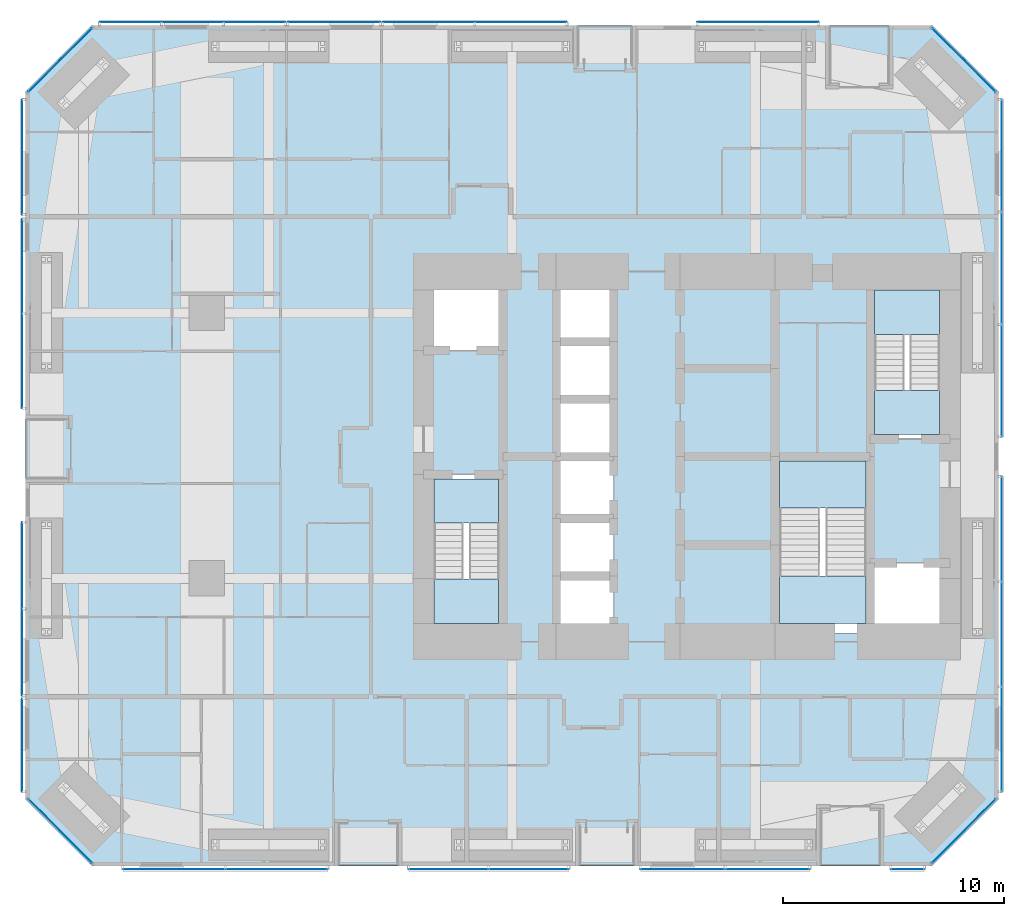
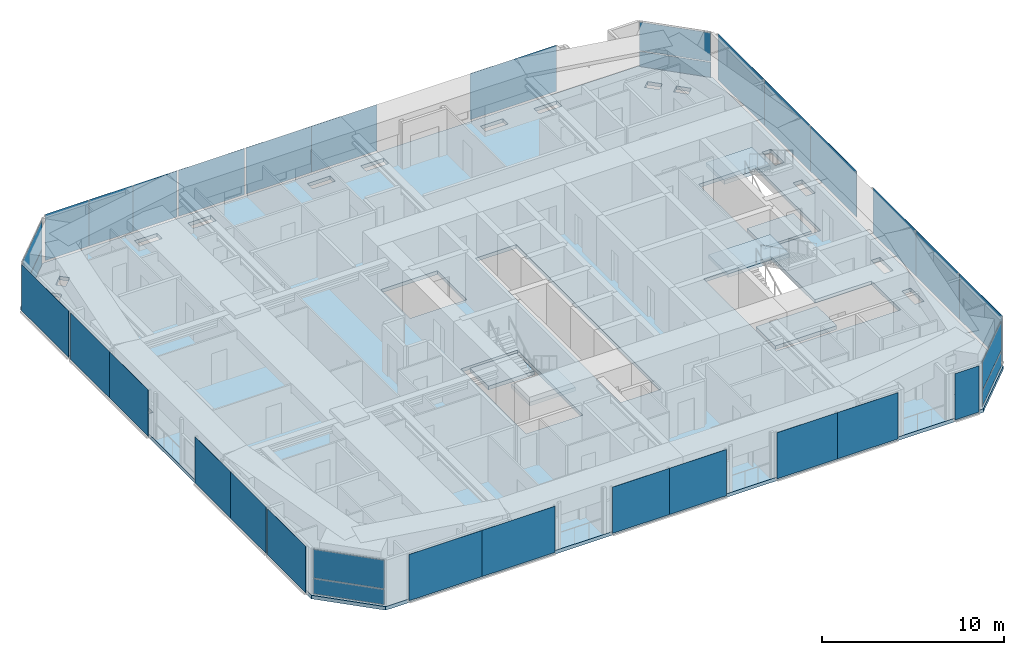
# One storey, part 15 of 23: 34 plates, 7 slabs, 21 elements without a shape of their own.
"""IFC4 building model written with IfcOpenShell, lengths in metres."""

from ifc_helpers import new_model, si_unit, direction, frame, origin, origin_2d, place, context, subcontext, project, spatial, polyline, rectangle, outline, extrude, material, layer, layer_set, type_object, element, aggregate, save


model = new_model("IFC4")

# Units and contexts
model_context = context("Model", 3, precision=1e-05, world=origin(), true_north=direction((0.0, 1.0)))
body_context = subcontext(model_context, "Body", "Model", "MODEL_VIEW")
ifc_project = project(units=[si_unit("LENGTHUNIT", "METRE"), si_unit("AREAUNIT", "SQUARE_METRE"), si_unit("VOLUMEUNIT", "CUBIC_METRE"), si_unit("PLANEANGLEUNIT", "RADIAN"), si_unit("MASSUNIT", "GRAM", prefix="KILO")], contexts=[model_context])

# Site, building, storey
site_placement = place(None, origin())
site = spatial("IfcSite", under=ifc_project, at=site_placement, CompositionType="ELEMENT")
building_placement = place(site_placement, origin())
building = spatial("IfcBuilding", under=site, at=building_placement, Name="Jalousie Tower", CompositionType="ELEMENT")
storey_placement = place(building_placement, frame((0.0, 0.0, 24.35009765625)))
storey = spatial("IfcBuildingStorey", under=building, at=storey_placement, Name="L05", CompositionType="ELEMENT", Elevation=24.35009765625)

# Curtain wall, plates
ifc_material_1 = material(Name="Aluminium curtain wall", Category="aluminium")
curtain_wall_type_1 = type_object("IfcCurtainWallType", Name="CORNER WINDOW WALL", PredefinedType="USERDEFINED", material=ifc_material_1)
curtain_wall_1_placement = place(storey_placement, origin())
curtain_wall_1 = element("IfcCurtainWall", 1, at=curtain_wall_1_placement, inside=storey, type_object=curtain_wall_type_1, Name="Corner Window Wall L05 2", ObjectType="CORNER WINDOW WALL", PredefinedType="USERDEFINED")
ifc_material_2 = material(Name="Laminated impact-rated spandrel glass", Category="glass")
ifc_layer_1 = layer(ifc_material_2, 0.028076171875)
ifc_layer_set_1 = layer_set([ifc_layer_1], Name="Laminated impact-rated spandrel glass")
plate_type_1 = type_object("IfcPlateType", Name="CORNER WINDOW WALL PANEL", PredefinedType="CURTAIN_PANEL", material=ifc_layer_set_1)
plate_1_placement = place(storey_placement, frame((44.4306640625, 1.5693359375, 0.06005859375), z_axis=(0.0, 0.0, 1.0), x_axis=(0.707106781187, 0.707106781187, 0.0)))
plate_1 = element("IfcPlate", 2, at=plate_1_placement, type_object=plate_type_1, Name="CW-C panel 1.1", PredefinedType="CURTAIN_PANEL", context=body_context, shape_type="SweptSolid", body=[
    extrude(rectangle(XDim=4.071533203125, YDim=0.028076171875, at=origin_2d()), origin(), (0.0, 0.0, 1.0), 1.010009765625),
])
plate_2_placement = place(storey_placement, frame((44.4306640625, 1.5693359375, 1.1298828125), z_axis=(0.0, 0.0, 1.0), x_axis=(0.707106781187, 0.707106781187, 0.0)))
plate_2 = element("IfcPlate", 3, at=plate_2_placement, type_object=plate_type_1, Name="CW-C panel 1.2", PredefinedType="CURTAIN_PANEL", context=body_context, shape_type="SweptSolid", body=[
    extrude(rectangle(XDim=4.071533203125, YDim=0.028076171875, at=origin_2d()), origin(), (0.0, 0.0, 1.0), 1.919921875),
])
aggregate(curtain_wall_1, [plate_1, plate_2])

curtain_wall_2_placement = place(storey_placement, origin())
curtain_wall_2 = element("IfcCurtainWall", 4, at=curtain_wall_2_placement, inside=storey, type_object=curtain_wall_type_1, Name="Corner Window Wall L05 4", ObjectType="CORNER WINDOW WALL", PredefinedType="USERDEFINED")
plate_3_placement = place(storey_placement, frame((44.4306640625, 36.4306640625, 0.06005859375), z_axis=(0.0, 0.0, 1.0), x_axis=(-0.707106781187, 0.707106781187, 0.0)))
plate_3 = element("IfcPlate", 5, at=plate_3_placement, type_object=plate_type_1, Name="CW-C panel 1.1", PredefinedType="CURTAIN_PANEL", context=body_context, shape_type="SweptSolid", body=[
    extrude(rectangle(XDim=4.071533203125, YDim=0.028076171875, at=origin_2d()), origin(), (0.0, 0.0, 1.0), 1.010009765625),
])
plate_4_placement = place(storey_placement, frame((44.4306640625, 36.4306640625, 1.1298828125), z_axis=(0.0, 0.0, 1.0), x_axis=(-0.707106781187, 0.707106781187, 0.0)))
plate_4 = element("IfcPlate", 6, at=plate_4_placement, type_object=plate_type_1, Name="CW-C panel 1.2", PredefinedType="CURTAIN_PANEL", context=body_context, shape_type="SweptSolid", body=[
    extrude(rectangle(XDim=4.071533203125, YDim=0.028076171875, at=origin_2d()), origin(), (0.0, 0.0, 1.0), 1.919921875),
])
aggregate(curtain_wall_2, [plate_3, plate_4])

curtain_wall_3_placement = place(storey_placement, origin())
curtain_wall_3 = element("IfcCurtainWall", 7, at=curtain_wall_3_placement, inside=storey, type_object=curtain_wall_type_1, Name="Corner Window Wall L05 6", ObjectType="CORNER WINDOW WALL", PredefinedType="USERDEFINED")
plate_5_placement = place(storey_placement, frame((3.5693359375, 36.4306640625, 0.06005859375), z_axis=(0.0, 0.0, 1.0), x_axis=(-0.707106781187, -0.707106781187, 0.0)))
plate_5 = element("IfcPlate", 8, at=plate_5_placement, type_object=plate_type_1, Name="CW-C panel 1.1", PredefinedType="CURTAIN_PANEL", context=body_context, shape_type="SweptSolid", body=[
    extrude(rectangle(XDim=4.071533203125, YDim=0.028076171875, at=origin_2d()), origin(), (0.0, 0.0, 1.0), 1.010009765625),
])
plate_6_placement = place(storey_placement, frame((3.5693359375, 36.4306640625, 1.1298828125), z_axis=(0.0, 0.0, 1.0), x_axis=(-0.707106781187, -0.707106781187, 0.0)))
plate_6 = element("IfcPlate", 9, at=plate_6_placement, type_object=plate_type_1, Name="CW-C panel 1.2", PredefinedType="CURTAIN_PANEL", context=body_context, shape_type="SweptSolid", body=[
    extrude(rectangle(XDim=4.071533203125, YDim=0.028076171875, at=origin_2d()), origin(), (0.0, 0.0, 1.0), 1.919921875),
])
aggregate(curtain_wall_3, [plate_5, plate_6])

curtain_wall_4_placement = place(storey_placement, origin())
curtain_wall_4 = element("IfcCurtainWall", 10, at=curtain_wall_4_placement, inside=storey, type_object=curtain_wall_type_1, Name="Corner Window Wall L05 8", ObjectType="CORNER WINDOW WALL", PredefinedType="USERDEFINED")
plate_7_placement = place(storey_placement, frame((3.5693359375, 1.5693359375, 0.06005859375), z_axis=(0.0, 0.0, 1.0), x_axis=(0.707106781187, -0.707106781187, 0.0)))
plate_7 = element("IfcPlate", 11, at=plate_7_placement, type_object=plate_type_1, Name="CW-C panel 1.1", PredefinedType="CURTAIN_PANEL", context=body_context, shape_type="SweptSolid", body=[
    extrude(rectangle(XDim=4.071533203125, YDim=0.028076171875, at=origin_2d()), origin(), (0.0, 0.0, 1.0), 1.010009765625),
])
plate_8_placement = place(storey_placement, frame((3.5693359375, 1.5693359375, 1.1298828125), z_axis=(0.0, 0.0, 1.0), x_axis=(0.707106781187, -0.707106781187, 0.0)))
plate_8 = element("IfcPlate", 12, at=plate_8_placement, type_object=plate_type_1, Name="CW-C panel 1.2", PredefinedType="CURTAIN_PANEL", context=body_context, shape_type="SweptSolid", body=[
    extrude(rectangle(XDim=4.071533203125, YDim=0.028076171875, at=origin_2d()), origin(), (0.0, 0.0, 1.0), 1.919921875),
])
aggregate(curtain_wall_4, [plate_7, plate_8])

# Slab
ifc_material_3 = material(Name="Concrete f'c 40 MPa", Category="concrete")
ifc_layer_2 = layer(ifc_material_3, 0.239990234375)
ifc_layer_set_2 = layer_set([ifc_layer_2], Name="Concrete f'c 40 MPa")
slab_type_1 = type_object("IfcSlabType", Name="FLOOR SLAB 240", PredefinedType="FLOOR", material=ifc_layer_set_2)
slab_1_placement = place(storey_placement, frame((0.0, 0.0, -0.239990234375)))
element("IfcSlab", 13, at=slab_1_placement, inside=storey, type_object=slab_type_1, Name="L05 floor slab", PredefinedType="FLOOR", context=body_context, shape_type="SweptSolid", body=[
    extrude(outline(polyline([(5.0, 0.0), (43.0, 0.0), (46.0, 3.0), (46.0, 35.0), (43.0, 38.0), (5.0, 38.0), (2.0, 35.0), (2.0, 3.0), (5.0, 0.0)]), holes=[polyline([(24.974609375, 0.663818359375), (24.974609375, 1.236083984375), (26.425048828125, 1.236083984375), (26.425048828125, 0.663818359375), (24.974609375, 0.663818359375)]), polyline([(23.025390625, 0.663818359375), (21.574951171875, 0.663818359375), (21.574951171875, 1.236083984375), (23.025390625, 1.236083984375), (23.025390625, 0.663818359375)]), polyline([(12.025390625, 1.236083984375), (12.025390625, 0.663818359375), (10.574951171875, 0.663818359375), (10.574951171875, 1.236083984375), (12.025390625, 1.236083984375)]), polyline([(13.974609375, 1.236083984375), (15.425048828125, 1.236083984375), (15.425048828125, 0.663818359375), (13.974609375, 0.663818359375), (13.974609375, 1.236083984375)]), polyline([(5.119140625, 2.54833984375), (5.717529296875, 1.949951171875), (5.31298828125, 1.545166015625), (4.71435546875, 2.1435546875), (5.119140625, 2.54833984375)]), polyline([(4.1435546875, 2.71435546875), (3.545166015625, 3.31298828125), (3.949951171875, 3.717529296875), (4.54833984375, 3.119140625), (4.1435546875, 2.71435546875)]), polyline([(3.236083984375, 12.025390625), (3.236083984375, 10.574951171875), (2.663818359375, 10.574951171875), (2.663818359375, 12.025390625), (3.236083984375, 12.025390625)]), polyline([(20.0, 10.5), (23.60009765625, 10.5), (23.60009765625, 17.699951171875), (20.0, 17.699951171875), (20.0, 10.5)]), polyline([(2.663818359375, 13.974609375), (2.663818359375, 15.425048828125), (3.236083984375, 15.425048828125), (3.236083984375, 13.974609375), (2.663818359375, 13.974609375)]), polyline([(26.0, 26.5), (28.60009765625, 26.5), (28.60009765625, 10.5), (26.0, 10.5), (26.0, 26.5)]), polyline([(2.663818359375, 24.025390625), (3.236083984375, 24.025390625), (3.236083984375, 22.574951171875), (2.663818359375, 22.574951171875), (2.663818359375, 24.025390625)]), polyline([(20.0, 23.300048828125), (23.60009765625, 23.300048828125), (23.60009765625, 26.5), (20.0, 26.5), (20.0, 23.300048828125)]), polyline([(2.663818359375, 25.974609375), (2.663818359375, 27.425048828125), (3.236083984375, 27.425048828125), (3.236083984375, 25.974609375), (2.663818359375, 25.974609375)]), polyline([(4.54833984375, 34.880859375), (3.949951171875, 34.282470703125), (3.545166015625, 34.68701171875), (4.1435546875, 35.28564453125), (4.54833984375, 34.880859375)]), polyline([(4.71435546875, 35.8564453125), (5.31298828125, 36.454833984375), (5.717529296875, 36.050048828125), (5.119140625, 35.45166015625), (4.71435546875, 35.8564453125)]), polyline([(13.974609375, 37.336181640625), (15.425048828125, 37.336181640625), (15.425048828125, 36.763916015625), (13.974609375, 36.763916015625), (13.974609375, 37.336181640625)]), polyline([(12.025390625, 36.763916015625), (10.574951171875, 36.763916015625), (10.574951171875, 37.336181640625), (12.025390625, 37.336181640625), (12.025390625, 36.763916015625)]), polyline([(23.025390625, 36.763916015625), (21.574951171875, 36.763916015625), (21.574951171875, 37.336181640625), (23.025390625, 37.336181640625), (23.025390625, 36.763916015625)]), polyline([(24.974609375, 37.336181640625), (26.425048828125, 37.336181640625), (26.425048828125, 36.763916015625), (24.974609375, 36.763916015625), (24.974609375, 37.336181640625)]), polyline([(34.025390625, 0.663818359375), (32.574951171875, 0.663818359375), (32.574951171875, 1.236083984375), (34.025390625, 1.236083984375), (34.025390625, 0.663818359375)]), polyline([(35.974609375, 1.236083984375), (37.425048828125, 1.236083984375), (37.425048828125, 0.663818359375), (35.974609375, 0.663818359375), (35.974609375, 1.236083984375)]), polyline([(43.28564453125, 2.1435546875), (42.68701171875, 1.545166015625), (42.282470703125, 1.949951171875), (42.880859375, 2.54833984375), (43.28564453125, 2.1435546875)]), polyline([(43.45166015625, 3.119140625), (44.050048828125, 3.717529296875), (44.454833984375, 3.31298828125), (43.8564453125, 2.71435546875), (43.45166015625, 3.119140625)]), polyline([(45.336181640625, 12.025390625), (45.336181640625, 10.574951171875), (44.763916015625, 10.574951171875), (44.763916015625, 12.025390625), (45.336181640625, 12.025390625)]), polyline([(35.89990234375, 18.5), (40.199951171875, 18.5), (40.199951171875, 13.699951171875), (43.800048828125, 13.699951171875), (43.800048828125, 10.5), (35.89990234375, 10.5), (35.89990234375, 18.5)]), polyline([(44.763916015625, 13.974609375), (44.763916015625, 15.425048828125), (45.336181640625, 15.425048828125), (45.336181640625, 13.974609375), (44.763916015625, 13.974609375)]), polyline([(40.199951171875, 19.300048828125), (43.800048828125, 19.300048828125), (43.800048828125, 26.5), (40.199951171875, 26.5), (40.199951171875, 19.300048828125)]), polyline([(44.763916015625, 24.025390625), (45.336181640625, 24.025390625), (45.336181640625, 22.574951171875), (44.763916015625, 22.574951171875), (44.763916015625, 24.025390625)]), polyline([(44.763916015625, 25.974609375), (44.763916015625, 27.425048828125), (45.336181640625, 27.425048828125), (45.336181640625, 25.974609375), (44.763916015625, 25.974609375)]), polyline([(43.8564453125, 35.28564453125), (44.454833984375, 34.68701171875), (44.050048828125, 34.282470703125), (43.45166015625, 34.880859375), (43.8564453125, 35.28564453125)]), polyline([(42.880859375, 35.45166015625), (42.282470703125, 36.050048828125), (42.68701171875, 36.454833984375), (43.28564453125, 35.8564453125), (42.880859375, 35.45166015625)]), polyline([(35.974609375, 37.336181640625), (37.425048828125, 37.336181640625), (37.425048828125, 36.763916015625), (35.974609375, 36.763916015625), (35.974609375, 37.336181640625)]), polyline([(34.025390625, 36.763916015625), (32.574951171875, 36.763916015625), (32.574951171875, 37.336181640625), (34.025390625, 37.336181640625), (34.025390625, 36.763916015625)])]), origin(), (0.0, 0.0, 1.0), 0.239990234375),
])

# Curtain wall, plates
ifc_material_4 = material(Name="Perforated aluminium sheet", Category="aluminium")
curtain_wall_type_2 = type_object("IfcCurtainWallType", Name="SOLAR SCREEN SS-1", PredefinedType="USERDEFINED", material=ifc_material_4)
curtain_wall_5_placement = place(storey_placement, origin())
curtain_wall_5 = element("IfcCurtainWall", 14, at=curtain_wall_5_placement, inside=storey, type_object=curtain_wall_type_2, Name="Solar screen L05", ObjectType="SOLAR SCREEN SS-1", PredefinedType="USERDEFINED")
ifc_material_5 = material(Name="Perforated aluminium sheet", Category="aluminium")
ifc_layer_3 = layer(ifc_material_5, 0.006103515625)
ifc_layer_set_3 = layer_set([ifc_layer_3], Name="Perforated aluminium sheet")
plate_type_2 = type_object("IfcPlateType", Name="SOLAR SCREEN SS-1 PANEL", PredefinedType="CURTAIN_PANEL", material=ifc_layer_set_3)
plate_9_placement = place(storey_placement, frame((8.71875, -0.150390625, 0.0), z_axis=(0.0, 0.0, 1.0), x_axis=(1.0, 0.0, 0.0)))
plate_9 = element("IfcPlate", 15, at=plate_9_placement, type_object=plate_type_2, Name="SS1 perforated panel 1", PredefinedType="CURTAIN_PANEL", context=body_context, shape_type="SweptSolid", body=[
    extrude(rectangle(XDim=4.637451171875, YDim=0.006103515625, at=origin_2d()), origin(), (0.0, 0.0, 1.0), 3.110107421875),
])
plate_10_placement = place(storey_placement, frame((13.356201171875, -0.150390625, 0.0), z_axis=(0.0, 0.0, 1.0), x_axis=(1.0, 0.0, 0.0)))
plate_10 = element("IfcPlate", 16, at=plate_10_placement, type_object=plate_type_2, Name="SS1 perforated panel 2", PredefinedType="CURTAIN_PANEL", context=body_context, shape_type="SweptSolid", body=[
    extrude(rectangle(XDim=4.637451171875, YDim=0.006103515625, at=origin_2d()), origin(), (0.0, 0.0, 1.0), 3.110107421875),
])
aggregate(curtain_wall_5, [plate_9, plate_10])

curtain_wall_6_placement = place(storey_placement, origin())
curtain_wall_6 = element("IfcCurtainWall", 17, at=curtain_wall_6_placement, inside=storey, type_object=curtain_wall_type_2, Name="Solar screen L05", ObjectType="SOLAR SCREEN SS-1", PredefinedType="USERDEFINED")
plate_11_placement = place(storey_placement, frame((21.137451171875, -0.150390625, 0.0), z_axis=(0.0, 0.0, 1.0), x_axis=(1.0, 0.0, 0.0)))
plate_11 = element("IfcPlate", 18, at=plate_11_placement, type_object=plate_type_2, Name="SS1 perforated panel 1", PredefinedType="CURTAIN_PANEL", context=body_context, shape_type="SweptSolid", body=[
    extrude(rectangle(XDim=3.625, YDim=0.006103515625, at=origin_2d()), origin(), (0.0, 0.0, 1.0), 3.110107421875),
])
plate_12_placement = place(storey_placement, frame((24.762451171875, -0.150390625, 0.0), z_axis=(0.0, 0.0, 1.0), x_axis=(1.0, 0.0, 0.0)))
plate_12 = element("IfcPlate", 19, at=plate_12_placement, type_object=plate_type_2, Name="SS1 perforated panel 2", PredefinedType="CURTAIN_PANEL", context=body_context, shape_type="SweptSolid", body=[
    extrude(rectangle(XDim=3.625, YDim=0.006103515625, at=origin_2d()), origin(), (0.0, 0.0, 1.0), 3.110107421875),
])
aggregate(curtain_wall_6, [plate_11, plate_12])

curtain_wall_7_placement = place(storey_placement, origin())
curtain_wall_7 = element("IfcCurtainWall", 20, at=curtain_wall_7_placement, inside=storey, type_object=curtain_wall_type_2, Name="Solar screen L05", ObjectType="SOLAR SCREEN SS-1", PredefinedType="USERDEFINED")
plate_13_placement = place(storey_placement, frame((31.71875, -0.150390625, 0.0), z_axis=(0.0, 0.0, 1.0), x_axis=(1.0, 0.0, 0.0)))
plate_13 = element("IfcPlate", 21, at=plate_13_placement, type_object=plate_type_2, Name="SS1 perforated panel 1", PredefinedType="CURTAIN_PANEL", context=body_context, shape_type="SweptSolid", body=[
    extrude(rectangle(XDim=3.83740234375, YDim=0.006103515625, at=origin_2d()), origin(), (0.0, 0.0, 1.0), 3.110107421875),
])
plate_14_placement = place(storey_placement, frame((35.55615234375, -0.150390625, 0.0), z_axis=(0.0, 0.0, 1.0), x_axis=(1.0, 0.0, 0.0)))
plate_14 = element("IfcPlate", 22, at=plate_14_placement, type_object=plate_type_2, Name="SS1 perforated panel 2", PredefinedType="CURTAIN_PANEL", context=body_context, shape_type="SweptSolid", body=[
    extrude(rectangle(XDim=3.83740234375, YDim=0.006103515625, at=origin_2d()), origin(), (0.0, 0.0, 1.0), 3.110107421875),
])
aggregate(curtain_wall_7, [plate_13, plate_14])

# Curtain wall, plate
curtain_wall_8_placement = place(storey_placement, origin())
curtain_wall_8 = element("IfcCurtainWall", 23, at=curtain_wall_8_placement, inside=storey, type_object=curtain_wall_type_2, Name="Solar screen L05", ObjectType="SOLAR SCREEN SS-1", PredefinedType="USERDEFINED")
plate_15_placement = place(storey_placement, frame((41.88671875, -0.150390625, 0.0), z_axis=(0.0, 0.0, 1.0), x_axis=(1.0, 0.0, 0.0)))
plate_15 = element("IfcPlate", 24, at=plate_15_placement, type_object=plate_type_2, Name="SS1 perforated panel 1", PredefinedType="CURTAIN_PANEL", context=body_context, shape_type="SweptSolid", body=[
    extrude(rectangle(XDim=1.523681640625, YDim=0.006103515625, at=origin_2d()), origin(), (0.0, 0.0, 1.0), 3.110107421875),
])
aggregate(curtain_wall_8, [plate_15])

# Curtain wall, plates
curtain_wall_9_placement = place(storey_placement, origin())
curtain_wall_9 = element("IfcCurtainWall", 25, at=curtain_wall_9_placement, inside=storey, type_object=curtain_wall_type_2, Name="Solar screen L05", ObjectType="SOLAR SCREEN SS-1", PredefinedType="USERDEFINED")
plate_16_placement = place(storey_placement, frame((46.150390625, 5.72607421875, 0.0), z_axis=(0.0, 0.0, 1.0), x_axis=(0.0, 1.0, 0.0)))
plate_16 = element("IfcPlate", 26, at=plate_16_placement, type_object=plate_type_2, Name="SS1 perforated panel 1", PredefinedType="CURTAIN_PANEL", context=body_context, shape_type="SweptSolid", body=[
    extrude(rectangle(XDim=4.74951171875, YDim=0.006103515625, at=origin_2d()), origin(), (0.0, 0.0, 1.0), 3.110107421875),
])
plate_17_placement = place(storey_placement, frame((46.150390625, 10.4755859375, 0.0), z_axis=(0.0, 0.0, 1.0), x_axis=(0.0, 1.0, 0.0)))
plate_17 = element("IfcPlate", 27, at=plate_17_placement, type_object=plate_type_2, Name="SS1 perforated panel 2", PredefinedType="CURTAIN_PANEL", context=body_context, shape_type="SweptSolid", body=[
    extrude(rectangle(XDim=4.74951171875, YDim=0.006103515625, at=origin_2d()), origin(), (0.0, 0.0, 1.0), 3.110107421875),
])
plate_18_placement = place(storey_placement, frame((46.150390625, 15.22509765625, 0.0), z_axis=(0.0, 0.0, 1.0), x_axis=(0.0, 1.0, 0.0)))
plate_18 = element("IfcPlate", 28, at=plate_18_placement, type_object=plate_type_2, Name="SS1 perforated panel 3", PredefinedType="CURTAIN_PANEL", context=body_context, shape_type="SweptSolid", body=[
    extrude(rectangle(XDim=4.74951171875, YDim=0.006103515625, at=origin_2d()), origin(), (0.0, 0.0, 1.0), 3.110107421875),
])
aggregate(curtain_wall_9, [plate_16, plate_17, plate_18])

curtain_wall_10_placement = place(storey_placement, origin())
curtain_wall_10 = element("IfcCurtainWall", 29, at=curtain_wall_10_placement, inside=storey, type_object=curtain_wall_type_2, Name="Solar screen L05", ObjectType="SOLAR SCREEN SS-1", PredefinedType="USERDEFINED")
plate_19_placement = place(storey_placement, frame((46.150390625, 21.94140625, 0.0), z_axis=(0.0, 0.0, 1.0), x_axis=(0.0, 1.0, 0.0)))
plate_19 = element("IfcPlate", 30, at=plate_19_placement, type_object=plate_type_2, Name="SS1 perforated panel 1", PredefinedType="CURTAIN_PANEL", context=body_context, shape_type="SweptSolid", body=[
    extrude(rectangle(XDim=5.0830078125, YDim=0.006103515625, at=origin_2d()), origin(), (0.0, 0.0, 1.0), 3.110107421875),
])
plate_20_placement = place(storey_placement, frame((46.150390625, 27.0244140625, 0.0), z_axis=(0.0, 0.0, 1.0), x_axis=(0.0, 1.0, 0.0)))
plate_20 = element("IfcPlate", 31, at=plate_20_placement, type_object=plate_type_2, Name="SS1 perforated panel 2", PredefinedType="CURTAIN_PANEL", context=body_context, shape_type="SweptSolid", body=[
    extrude(rectangle(XDim=5.0830078125, YDim=0.006103515625, at=origin_2d()), origin(), (0.0, 0.0, 1.0), 3.110107421875),
])
plate_21_placement = place(storey_placement, frame((46.150390625, 32.107177734375, 0.0), z_axis=(0.0, 0.0, 1.0), x_axis=(0.0, 1.0, 0.0)))
plate_21 = element("IfcPlate", 32, at=plate_21_placement, type_object=plate_type_2, Name="SS1 perforated panel 3", PredefinedType="CURTAIN_PANEL", context=body_context, shape_type="SweptSolid", body=[
    extrude(rectangle(XDim=5.0830078125, YDim=0.006103515625, at=origin_2d()), origin(), (0.0, 0.0, 1.0), 3.110107421875),
])
aggregate(curtain_wall_10, [plate_19, plate_20, plate_21])

# Curtain wall, plate
curtain_wall_11_placement = place(storey_placement, origin())
curtain_wall_11 = element("IfcCurtainWall", 33, at=curtain_wall_11_placement, inside=storey, type_object=curtain_wall_type_2, Name="Solar screen L05", ObjectType="SOLAR SCREEN SS-1", PredefinedType="USERDEFINED")
plate_22_placement = place(storey_placement, frame((35.127685546875, 38.150390625, 0.0), z_axis=(0.0, 0.0, 1.0), x_axis=(-1.0, 0.0, 0.0)))
plate_22 = element("IfcPlate", 34, at=plate_22_placement, type_object=plate_type_2, Name="SS1 perforated panel 1", PredefinedType="CURTAIN_PANEL", context=body_context, shape_type="SweptSolid", body=[
    extrude(rectangle(XDim=5.49169921875, YDim=0.006103515625, at=origin_2d()), origin(), (0.0, 0.0, 1.0), 3.110107421875),
])
aggregate(curtain_wall_11, [plate_22])

# Curtain wall, plates
curtain_wall_12_placement = place(storey_placement, origin())
curtain_wall_12 = element("IfcCurtainWall", 35, at=curtain_wall_12_placement, inside=storey, type_object=curtain_wall_type_2, Name="Solar screen L05", ObjectType="SOLAR SCREEN SS-1", PredefinedType="USERDEFINED")
plate_23_placement = place(storey_placement, frame((24.39990234375, 38.150390625, 0.0), z_axis=(0.0, 0.0, 1.0), x_axis=(-1.0, 0.0, 0.0)))
plate_23 = element("IfcPlate", 36, at=plate_23_placement, type_object=plate_type_2, Name="SS1 perforated panel 1", PredefinedType="CURTAIN_PANEL", context=body_context, shape_type="SweptSolid", body=[
    extrude(rectangle(XDim=4.16650390625, YDim=0.006103515625, at=origin_2d()), origin(), (0.0, 0.0, 1.0), 3.110107421875),
])
plate_24_placement = place(storey_placement, frame((20.2333984375, 38.150390625, 0.0), z_axis=(0.0, 0.0, 1.0), x_axis=(-1.0, 0.0, 0.0)))
plate_24 = element("IfcPlate", 37, at=plate_24_placement, type_object=plate_type_2, Name="SS1 perforated panel 2", PredefinedType="CURTAIN_PANEL", context=body_context, shape_type="SweptSolid", body=[
    extrude(rectangle(XDim=4.16650390625, YDim=0.006103515625, at=origin_2d()), origin(), (0.0, 0.0, 1.0), 3.110107421875),
])
aggregate(curtain_wall_12, [plate_23, plate_24])

# Curtain wall, plate
curtain_wall_13_placement = place(storey_placement, origin())
curtain_wall_13 = element("IfcCurtainWall", 38, at=curtain_wall_13_placement, inside=storey, type_object=curtain_wall_type_2, Name="Solar screen L05", ObjectType="SOLAR SCREEN SS-1", PredefinedType="USERDEFINED")
plate_25_placement = place(storey_placement, frame((15.949951171875, 38.150390625, 0.0), z_axis=(0.0, 0.0, 1.0), x_axis=(-1.0, 0.0, 0.0)))
plate_25 = element("IfcPlate", 39, at=plate_25_placement, type_object=plate_type_2, Name="SS1 perforated panel 1", PredefinedType="CURTAIN_PANEL", context=body_context, shape_type="SweptSolid", body=[
    extrude(rectangle(XDim=4.199951171875, YDim=0.006103515625, at=origin_2d()), origin(), (0.0, 0.0, 1.0), 3.110107421875),
])
aggregate(curtain_wall_13, [plate_25])

# Curtain wall, plates
curtain_wall_14_placement = place(storey_placement, origin())
curtain_wall_14 = element("IfcCurtainWall", 40, at=curtain_wall_14_placement, inside=storey, type_object=curtain_wall_type_2, Name="Solar screen L05", ObjectType="SOLAR SCREEN SS-1", PredefinedType="USERDEFINED")
plate_26_placement = place(storey_placement, frame((12.35009765625, 38.150390625, 0.0), z_axis=(0.0, 0.0, 1.0), x_axis=(-1.0, 0.0, 0.0)))
plate_26 = element("IfcPlate", 41, at=plate_26_placement, type_object=plate_type_2, Name="SS1 perforated panel 1", PredefinedType="CURTAIN_PANEL", context=body_context, shape_type="SweptSolid", body=[
    extrude(rectangle(XDim=2.799560546875, YDim=0.006103515625, at=origin_2d()), origin(), (0.0, 0.0, 1.0), 3.110107421875),
])
plate_27_placement = place(storey_placement, frame((9.55078125, 38.150390625, 0.0), z_axis=(0.0, 0.0, 1.0), x_axis=(-1.0, 0.0, 0.0)))
plate_27 = element("IfcPlate", 42, at=plate_27_placement, type_object=plate_type_2, Name="SS1 perforated panel 2", PredefinedType="CURTAIN_PANEL", context=body_context, shape_type="SweptSolid", body=[
    extrude(rectangle(XDim=2.799560546875, YDim=0.006103515625, at=origin_2d()), origin(), (0.0, 0.0, 1.0), 3.110107421875),
])
plate_28_placement = place(storey_placement, frame((6.751220703125, 38.150390625, 0.0), z_axis=(0.0, 0.0, 1.0), x_axis=(-1.0, 0.0, 0.0)))
plate_28 = element("IfcPlate", 43, at=plate_28_placement, type_object=plate_type_2, Name="SS1 perforated panel 3", PredefinedType="CURTAIN_PANEL", context=body_context, shape_type="SweptSolid", body=[
    extrude(rectangle(XDim=2.799560546875, YDim=0.006103515625, at=origin_2d()), origin(), (0.0, 0.0, 1.0), 3.110107421875),
])
aggregate(curtain_wall_14, [plate_26, plate_27, plate_28])

# Curtain wall, plate
curtain_wall_15_placement = place(storey_placement, origin())
curtain_wall_15 = element("IfcCurtainWall", 44, at=curtain_wall_15_placement, inside=storey, type_object=curtain_wall_type_2, Name="Solar screen L05", ObjectType="SOLAR SCREEN SS-1", PredefinedType="USERDEFINED")
plate_29_placement = place(storey_placement, frame((1.849609375, 32.04931640625, 0.0), z_axis=(0.0, 0.0, 1.0), x_axis=(0.0, -1.0, 0.0)))
plate_29 = element("IfcPlate", 45, at=plate_29_placement, type_object=plate_type_2, Name="SS1 perforated panel 1", PredefinedType="CURTAIN_PANEL", context=body_context, shape_type="SweptSolid", body=[
    extrude(rectangle(XDim=5.19873046875, YDim=0.006103515625, at=origin_2d()), origin(), (0.0, 0.0, 1.0), 3.110107421875),
])
aggregate(curtain_wall_15, [plate_29])

# Curtain wall, plates
curtain_wall_16_placement = place(storey_placement, origin())
curtain_wall_16 = element("IfcCurtainWall", 46, at=curtain_wall_16_placement, inside=storey, type_object=curtain_wall_type_2, Name="Solar screen L05", ObjectType="SOLAR SCREEN SS-1", PredefinedType="USERDEFINED")
plate_30_placement = place(storey_placement, frame((1.849609375, 27.1103515625, 0.0), z_axis=(0.0, 0.0, 1.0), x_axis=(0.0, -1.0, 0.0)))
plate_30 = element("IfcPlate", 47, at=plate_30_placement, type_object=plate_type_2, Name="SS1 perforated panel 1", PredefinedType="CURTAIN_PANEL", context=body_context, shape_type="SweptSolid", body=[
    extrude(rectangle(XDim=4.279052734375, YDim=0.006103515625, at=origin_2d()), origin(), (0.0, 0.0, 1.0), 3.110107421875),
])
plate_31_placement = place(storey_placement, frame((1.849609375, 22.831298828125, 0.0), z_axis=(0.0, 0.0, 1.0), x_axis=(0.0, -1.0, 0.0)))
plate_31 = element("IfcPlate", 48, at=plate_31_placement, type_object=plate_type_2, Name="SS1 perforated panel 2", PredefinedType="CURTAIN_PANEL", context=body_context, shape_type="SweptSolid", body=[
    extrude(rectangle(XDim=4.279052734375, YDim=0.006103515625, at=origin_2d()), origin(), (0.0, 0.0, 1.0), 3.110107421875),
])
aggregate(curtain_wall_16, [plate_30, plate_31])

curtain_wall_17_placement = place(storey_placement, origin())
curtain_wall_17 = element("IfcCurtainWall", 49, at=curtain_wall_17_placement, inside=storey, type_object=curtain_wall_type_2, Name="Solar screen L05", ObjectType="SOLAR SCREEN SS-1", PredefinedType="USERDEFINED")
plate_32_placement = place(storey_placement, frame((1.849609375, 13.574951171875, 0.0), z_axis=(0.0, 0.0, 1.0), x_axis=(0.0, -1.0, 0.0)))
plate_32 = element("IfcPlate", 50, at=plate_32_placement, type_object=plate_type_2, Name="SS1 perforated panel 1", PredefinedType="CURTAIN_PANEL", context=body_context, shape_type="SweptSolid", body=[
    extrude(rectangle(XDim=3.91650390625, YDim=0.006103515625, at=origin_2d()), origin(), (0.0, 0.0, 1.0), 3.110107421875),
])
plate_33_placement = place(storey_placement, frame((1.849609375, 9.658203125, 0.0), z_axis=(0.0, 0.0, 1.0), x_axis=(0.0, -1.0, 0.0)))
plate_33 = element("IfcPlate", 51, at=plate_33_placement, type_object=plate_type_2, Name="SS1 perforated panel 2", PredefinedType="CURTAIN_PANEL", context=body_context, shape_type="SweptSolid", body=[
    extrude(rectangle(XDim=3.91650390625, YDim=0.006103515625, at=origin_2d()), origin(), (0.0, 0.0, 1.0), 3.110107421875),
])
aggregate(curtain_wall_17, [plate_32, plate_33])

# Curtain wall, plate
curtain_wall_18_placement = place(storey_placement, origin())
curtain_wall_18 = element("IfcCurtainWall", 52, at=curtain_wall_18_placement, inside=storey, type_object=curtain_wall_type_2, Name="Solar screen L05", ObjectType="SOLAR SCREEN SS-1", PredefinedType="USERDEFINED")
plate_34_placement = place(storey_placement, frame((1.849609375, 5.45068359375, 0.0), z_axis=(0.0, 0.0, 1.0), x_axis=(0.0, -1.0, 0.0)))
plate_34 = element("IfcPlate", 53, at=plate_34_placement, type_object=plate_type_2, Name="SS1 perforated panel 1", PredefinedType="CURTAIN_PANEL", context=body_context, shape_type="SweptSolid", body=[
    extrude(rectangle(XDim=4.19873046875, YDim=0.006103515625, at=origin_2d()), origin(), (0.0, 0.0, 1.0), 3.110107421875),
])
aggregate(curtain_wall_18, [plate_34])

# Stair, slabs
ifc_material_6 = material(Name="Concrete f'c 40 MPa", Category="concrete")
stair_type = type_object("IfcStairType", Name="EXIT STAIR", PredefinedType="HALF_TURN_STAIR", material=ifc_material_6)
stair_1_placement = place(storey_placement, origin())
stair_1 = element("IfcStair", 54, at=stair_1_placement, inside=storey, type_object=stair_type, Name="Exit stair A L05", PredefinedType="HALF_TURN_STAIR")
ifc_material_7 = material(Name="Concrete f'c 40 MPa", Category="concrete")
ifc_layer_4 = layer(ifc_material_7, 0.25)
ifc_layer_set_4 = layer_set([ifc_layer_4], Name="Concrete f'c 40 MPa")
slab_type_2 = type_object("IfcSlabType", Name="STAIR LANDING 250", PredefinedType="LANDING", material=ifc_layer_set_4)
slab_2_placement = place(storey_placement, frame((0.0, 0.0, -0.25)))
slab_2 = element("IfcSlab", 55, at=slab_2_placement, type_object=slab_type_2, Name="ST-A landing 1", PredefinedType="LANDING", context=body_context, shape_type="SweptSolid", body=[
    extrude(outline(polyline([(20.47509765625, 15.49755859375), (23.39990234375, 15.49755859375), (23.39990234375, 17.5), (20.47509765625, 17.5), (20.47509765625, 15.49755859375)])), origin(), (0.0, 0.0, 1.0), 0.25),
])
slab_3_placement = place(storey_placement, frame((0.0, 0.0, 1.4248046875)))
slab_3 = element("IfcSlab", 56, at=slab_3_placement, type_object=slab_type_2, Name="ST-A landing 2", PredefinedType="LANDING", context=body_context, shape_type="SweptSolid", body=[
    extrude(outline(polyline([(20.47509765625, 10.949951171875), (23.39990234375, 10.949951171875), (23.39990234375, 12.9775390625), (20.47509765625, 12.9775390625), (20.47509765625, 10.949951171875)])), origin(), (0.0, 0.0, 1.0), 0.25),
])
aggregate(stair_1, [slab_2, slab_3])

stair_2_placement = place(storey_placement, origin())
stair_2 = element("IfcStair", 57, at=stair_2_placement, inside=storey, type_object=stair_type, Name="Exit stair B L05", PredefinedType="HALF_TURN_STAIR")
slab_4_placement = place(storey_placement, frame((0.0, 0.0, -0.25)))
slab_4 = element("IfcSlab", 58, at=slab_4_placement, type_object=slab_type_2, Name="ST-B landing 1", PredefinedType="LANDING", context=body_context, shape_type="SweptSolid", body=[
    extrude(outline(polyline([(40.39990234375, 19.5), (43.324951171875, 19.5), (43.324951171875, 21.50244140625), (40.39990234375, 21.50244140625), (40.39990234375, 19.5)])), origin(), (0.0, 0.0, 1.0), 0.25),
])
slab_5_placement = place(storey_placement, frame((0.0, 0.0, 1.4248046875)))
slab_5 = element("IfcSlab", 59, at=slab_5_placement, type_object=slab_type_2, Name="ST-B landing 2", PredefinedType="LANDING", context=body_context, shape_type="SweptSolid", body=[
    extrude(outline(polyline([(40.39990234375, 24.0224609375), (43.324951171875, 24.0224609375), (43.324951171875, 26.050048828125), (40.39990234375, 26.050048828125), (40.39990234375, 24.0224609375)])), origin(), (0.0, 0.0, 1.0), 0.25),
])
aggregate(stair_2, [slab_4, slab_5])

stair_3_placement = place(storey_placement, origin())
stair_3 = element("IfcStair", 60, at=stair_3_placement, inside=storey, type_object=stair_type, Name="Exit stair C L05", PredefinedType="HALF_TURN_STAIR")
slab_6_placement = place(storey_placement, frame((0.0, 0.0, -0.25)))
slab_6 = element("IfcSlab", 61, at=slab_6_placement, type_object=slab_type_2, Name="ST-C landing 1", PredefinedType="LANDING", context=body_context, shape_type="SweptSolid", body=[
    extrude(outline(polyline([(36.10009765625, 10.949951171875), (40.0, 10.949951171875), (40.0, 13.097412109375), (36.10009765625, 13.097412109375), (36.10009765625, 10.949951171875)])), origin(), (0.0, 0.0, 1.0), 0.25),
])
slab_7_placement = place(storey_placement, frame((0.0, 0.0, 1.4248046875)))
slab_7 = element("IfcSlab", 62, at=slab_7_placement, type_object=slab_type_2, Name="ST-C landing 2", PredefinedType="LANDING", context=body_context, shape_type="SweptSolid", body=[
    extrude(outline(polyline([(36.10009765625, 16.177490234375), (40.0, 16.177490234375), (40.0, 18.300048828125), (36.10009765625, 18.300048828125), (36.10009765625, 16.177490234375)])), origin(), (0.0, 0.0, 1.0), 0.25),
])
aggregate(stair_3, [slab_6, slab_7])

save(model, "model.ifc")
